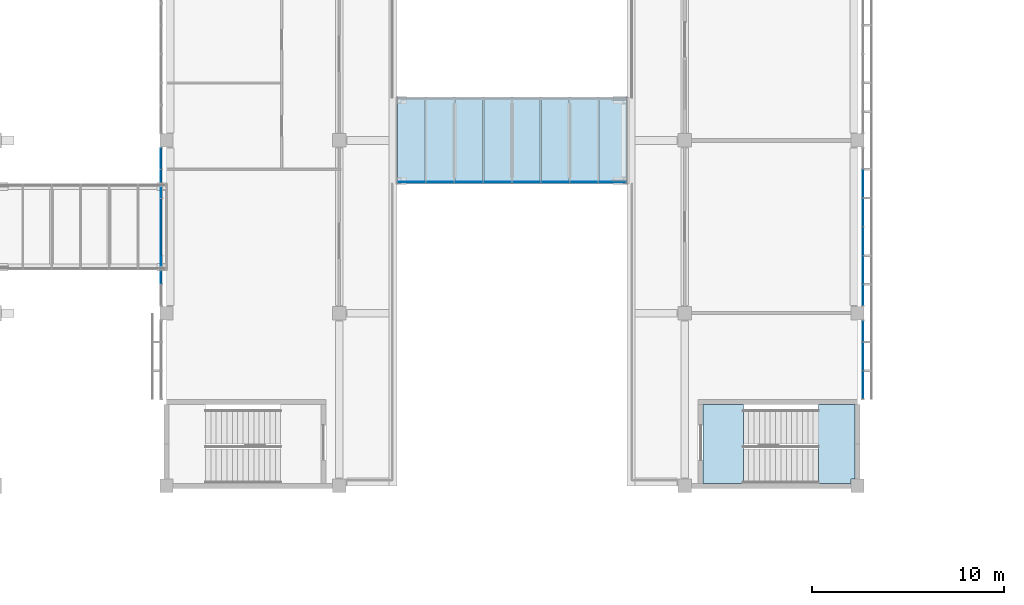
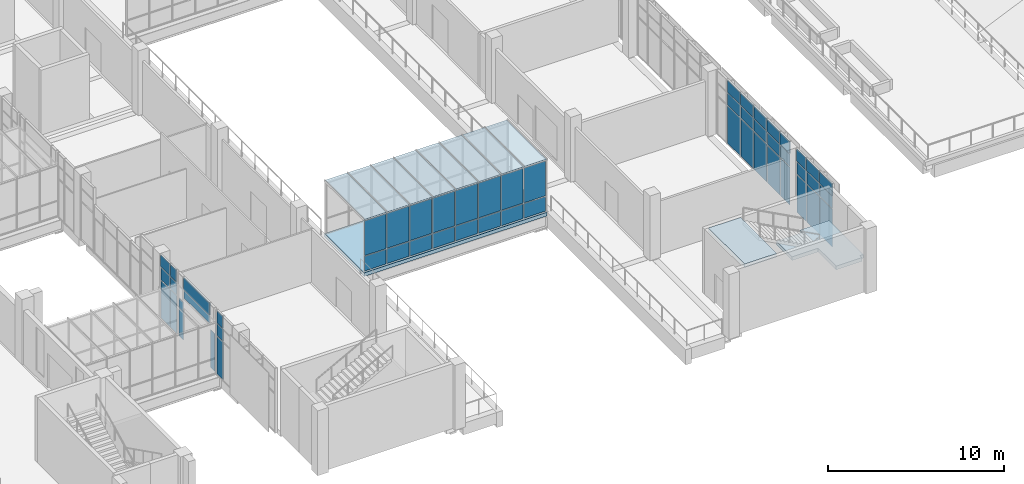
# One storey, part 53 of 106: 61 plates, 3 slabs, 8 elements without a shape of their own.
"""IFC4 building model written with IfcOpenShell, lengths in metres."""

from ifc_helpers import new_model, si_unit, direction, frame, origin, origin_2d, place, context, subcontext, project, spatial, polyline, rectangle, outline, extrude, material, layer, layer_set, type_object, element, aggregate, save


model = new_model("IFC4")

# Units and contexts
model_context = context("Model", 3, precision=1e-05, world=origin(), true_north=direction((0.0, 1.0)))
body_context = subcontext(model_context, "Body", "Model", "MODEL_VIEW")
ifc_project = project(units=[si_unit("LENGTHUNIT", "METRE"), si_unit("AREAUNIT", "SQUARE_METRE"), si_unit("VOLUMEUNIT", "CUBIC_METRE"), si_unit("PLANEANGLEUNIT", "RADIAN"), si_unit("MASSUNIT", "GRAM", prefix="KILO")], contexts=[model_context])

# Site, building, storey
site_placement = place(None, origin())
site = spatial("IfcSite", under=ifc_project, at=site_placement, CompositionType="ELEMENT")
building_placement = place(site_placement, origin())
building = spatial("IfcBuilding", under=site, at=building_placement, Name="Guidao Yard Department Store", CompositionType="ELEMENT")
storey_placement = place(building_placement, frame((0.0, 0.0, 10.5)))
storey = spatial("IfcBuildingStorey", under=building, at=storey_placement, Name="L02", CompositionType="ELEMENT", Elevation=10.5)

# Slab
ifc_material_1 = material(Name="Concrete C35", Category="concrete")
ifc_layer_1 = layer(ifc_material_1, 0.25)
ifc_layer_set_1 = layer_set([ifc_layer_1], Name="Bridge deck slab 250 C35")
slab_type_1 = type_object("IfcSlabType", Name="Bridge deck slab 250 C35", PredefinedType="FLOOR", material=ifc_layer_set_1)
slab_1_placement = place(storey_placement, frame((0.0, 0.0, -0.25)))
element("IfcSlab", 1, at=slab_1_placement, inside=storey, type_object=slab_type_1, Name="Slab BR11", PredefinedType="FLOOR", context=body_context, shape_type="SweptSolid", body=[
    extrude(outline(polyline([(95.985107421875, 60.75), (84.0, 60.75), (84.0, 65.25), (95.985107421875, 65.25), (95.985107421875, 60.75)])), origin(), (0.0, 0.0, 1.0), 0.25),
])

# Curtain wall, plates
ifc_material_2 = material(Name="Aluminium and glass", Category="aluminium")
ifc_layer_2 = layer(ifc_material_2, 0.159912109375)
ifc_layer_set_2 = layer_set([ifc_layer_2], Name="Bridge glazing CW5 1500 module")
curtain_wall_type_1 = type_object("IfcCurtainWallType", Name="Bridge glazing CW5 1500 module", PredefinedType="NOTDEFINED", material=ifc_layer_set_2)
curtain_wall_1_placement = place(storey_placement, origin())
curtain_wall_1 = element("IfcCurtainWall", 2, at=curtain_wall_1_placement, inside=storey, type_object=curtain_wall_type_1, Name="Bridge roof glazing BR11", PredefinedType="NOTDEFINED")
ifc_material_3 = material(Name="Laminated glass", Category="glass")
ifc_layer_3 = layer(ifc_material_3, 0.017578125)
ifc_layer_set_3 = layer_set([ifc_layer_3], Name="Bridge roof glass BG1 laminated 8+8 fritted")
plate_type_1 = type_object("IfcPlateType", Name="Bridge roof glass BG1 laminated 8+8 fritted", PredefinedType="CURTAIN_PANEL", material=ifc_layer_set_3)
plate_1_placement = place(storey_placement, frame((84.75, 63.0, 3.671142578125), z_axis=(0.0, 0.0, 1.0), x_axis=(1.0, 0.0, 0.0)))
plate_1 = element("IfcPlate", 3, at=plate_1_placement, type_object=plate_type_1, Name="Bridge roof glass BR11", PredefinedType="CURTAIN_PANEL", context=body_context, shape_type="SweptSolid", body=[
    extrude(rectangle(XDim=1.43994140625, YDim=4.5, at=origin_2d()), origin(), (0.0, 0.0, 1.0), 0.017578125),
])
plate_2_placement = place(storey_placement, frame((86.25, 63.0, 3.671142578125), z_axis=(0.0, 0.0, 1.0), x_axis=(1.0, 0.0, 0.0)))
plate_2 = element("IfcPlate", 4, at=plate_2_placement, type_object=plate_type_1, Name="Bridge roof glass BR11", PredefinedType="CURTAIN_PANEL", context=body_context, shape_type="SweptSolid", body=[
    extrude(rectangle(XDim=1.43994140625, YDim=4.5, at=origin_2d()), origin(), (0.0, 0.0, 1.0), 0.017578125),
])
plate_3_placement = place(storey_placement, frame((87.75, 63.0, 3.671142578125), z_axis=(0.0, 0.0, 1.0), x_axis=(1.0, 0.0, 0.0)))
plate_3 = element("IfcPlate", 5, at=plate_3_placement, type_object=plate_type_1, Name="Bridge roof glass BR11", PredefinedType="CURTAIN_PANEL", context=body_context, shape_type="SweptSolid", body=[
    extrude(rectangle(XDim=1.43994140625, YDim=4.5, at=origin_2d()), origin(), (0.0, 0.0, 1.0), 0.017578125),
])
plate_4_placement = place(storey_placement, frame((89.25, 63.0, 3.671142578125), z_axis=(0.0, 0.0, 1.0), x_axis=(1.0, 0.0, 0.0)))
plate_4 = element("IfcPlate", 6, at=plate_4_placement, type_object=plate_type_1, Name="Bridge roof glass BR11", PredefinedType="CURTAIN_PANEL", context=body_context, shape_type="SweptSolid", body=[
    extrude(rectangle(XDim=1.43994140625, YDim=4.5, at=origin_2d()), origin(), (0.0, 0.0, 1.0), 0.017578125),
])
plate_5_placement = place(storey_placement, frame((90.75, 63.0, 3.671142578125), z_axis=(0.0, 0.0, 1.0), x_axis=(1.0, 0.0, 0.0)))
plate_5 = element("IfcPlate", 7, at=plate_5_placement, type_object=plate_type_1, Name="Bridge roof glass BR11", PredefinedType="CURTAIN_PANEL", context=body_context, shape_type="SweptSolid", body=[
    extrude(rectangle(XDim=1.43994140625, YDim=4.5, at=origin_2d()), origin(), (0.0, 0.0, 1.0), 0.017578125),
])
plate_6_placement = place(storey_placement, frame((92.25, 63.0, 3.671142578125), z_axis=(0.0, 0.0, 1.0), x_axis=(1.0, 0.0, 0.0)))
plate_6 = element("IfcPlate", 8, at=plate_6_placement, type_object=plate_type_1, Name="Bridge roof glass BR11", PredefinedType="CURTAIN_PANEL", context=body_context, shape_type="SweptSolid", body=[
    extrude(rectangle(XDim=1.43994140625, YDim=4.5, at=origin_2d()), origin(), (0.0, 0.0, 1.0), 0.017578125),
])
plate_7_placement = place(storey_placement, frame((93.75, 63.0, 3.671142578125), z_axis=(0.0, 0.0, 1.0), x_axis=(1.0, 0.0, 0.0)))
plate_7 = element("IfcPlate", 9, at=plate_7_placement, type_object=plate_type_1, Name="Bridge roof glass BR11", PredefinedType="CURTAIN_PANEL", context=body_context, shape_type="SweptSolid", body=[
    extrude(rectangle(XDim=1.43994140625, YDim=4.5, at=origin_2d()), origin(), (0.0, 0.0, 1.0), 0.017578125),
])
plate_8_placement = place(storey_placement, frame((95.242431640625, 63.0, 3.671142578125), z_axis=(0.0, 0.0, 1.0), x_axis=(1.0, 0.0, 0.0)))
plate_8 = element("IfcPlate", 10, at=plate_8_placement, type_object=plate_type_1, Name="Bridge roof glass BR11", PredefinedType="CURTAIN_PANEL", context=body_context, shape_type="SweptSolid", body=[
    extrude(rectangle(XDim=1.425048828125, YDim=4.5, at=origin_2d()), origin(), (0.0, 0.0, 1.0), 0.017578125),
])
aggregate(curtain_wall_1, [plate_1, plate_2, plate_3, plate_4, plate_5, plate_6, plate_7, plate_8])

# Curtain wall, plate
ifc_material_4 = material(Name="Aluminium and glass", Category="aluminium")
ifc_layer_4 = layer(ifc_material_4, 0.159912109375)
ifc_layer_set_4 = layer_set([ifc_layer_4], Name="Shopfront curtain wall CW1 1500 module")
curtain_wall_type_2 = type_object("IfcCurtainWallType", Name="Shopfront curtain wall CW1 1500 module", PredefinedType="NOTDEFINED", material=ifc_layer_set_4)
curtain_wall_2_placement = place(storey_placement, origin())
curtain_wall_2 = element("IfcCurtainWall", 11, at=curtain_wall_2_placement, inside=storey, type_object=curtain_wall_type_2, Name="Arcade shop front", PredefinedType="NOTDEFINED")
ifc_material_5 = material(Name="Aluminium 6063-T5 faced insulated spandrel", Category="aluminium")
ifc_layer_5 = layer(ifc_material_5, 0.06005859375)
ifc_layer_set_5 = layer_set([ifc_layer_5], Name="Spandrel panel SP1 insulated opaque")
plate_type_2 = type_object("IfcPlateType", Name="Spandrel panel SP1 insulated opaque", PredefinedType="CURTAIN_PANEL", material=ifc_layer_set_5)
plate_9_placement = place(storey_placement, frame((71.719970703125, 55.860107421875, 3.6298828125), z_axis=(0.0, 0.0, 1.0), x_axis=(0.0, 1.0, 0.0)))
plate_9 = element("IfcPlate", 12, at=plate_9_placement, type_object=plate_type_2, Name="CW-AS-L02-02 panel 2.3", PredefinedType="CURTAIN_PANEL", context=body_context, shape_type="SweptSolid", body=[
    extrude(rectangle(XDim=0.659912109375, YDim=0.06005859375, at=origin_2d()), origin(), (0.0, 0.0, 1.0), 0.81005859375),
])

curtain_wall_3_placement = place(storey_placement, origin())
curtain_wall_3 = element("IfcCurtainWall", 13, at=curtain_wall_3_placement, inside=storey, type_object=curtain_wall_type_2, Name="Arcade shop front", PredefinedType="NOTDEFINED")
plate_10_placement = place(storey_placement, frame((71.719970703125, 58.5, 3.6298828125), z_axis=(0.0, 0.0, 1.0), x_axis=(0.0, 1.0, 0.0)))
plate_10 = element("IfcPlate", 14, at=plate_10_placement, type_object=plate_type_2, Name="CW-AS-L02-03 panel 2.3", PredefinedType="CURTAIN_PANEL", context=body_context, shape_type="SweptSolid", body=[
    extrude(rectangle(XDim=2.93994140625, YDim=0.06005859375, at=origin_2d()), origin(), (0.0, 0.0, 1.0), 0.81005859375),
])

# Curtain wall, plates
curtain_wall_4_placement = place(storey_placement, origin())
curtain_wall_4 = element("IfcCurtainWall", 15, at=curtain_wall_4_placement, inside=storey, type_object=curtain_wall_type_2, Name="Arcade shop front", PredefinedType="NOTDEFINED")
plate_11_placement = place(storey_placement, frame((71.719970703125, 61.139892578125, 3.6298828125), z_axis=(0.0, 0.0, 1.0), x_axis=(0.0, 1.0, 0.0)))
plate_11 = element("IfcPlate", 16, at=plate_11_placement, type_object=plate_type_2, Name="CW-AS-L02-04 panel 1.3", PredefinedType="CURTAIN_PANEL", context=body_context, shape_type="SweptSolid", body=[
    extrude(rectangle(XDim=0.659912109375, YDim=0.06005859375, at=origin_2d()), origin(), (0.0, 0.0, 1.0), 0.81005859375),
])
plate_12_placement = place(storey_placement, frame((71.719970703125, 62.06005859375, 3.6298828125), z_axis=(0.0, 0.0, 1.0), x_axis=(0.0, 1.0, 0.0)))
plate_12 = element("IfcPlate", 17, at=plate_12_placement, type_object=plate_type_2, Name="CW-AS-L02-04 panel 2.3", PredefinedType="CURTAIN_PANEL", context=body_context, shape_type="SweptSolid", body=[
    extrude(rectangle(XDim=1.06005859375, YDim=0.06005859375, at=origin_2d()), origin(), (0.0, 0.0, 1.0), 0.81005859375),
])

curtain_wall_5_placement = place(storey_placement, origin())
curtain_wall_5 = element("IfcCurtainWall", 18, at=curtain_wall_5_placement, inside=storey, type_object=curtain_wall_type_2, Name="Arcade shop front", PredefinedType="NOTDEFINED")
plate_13_placement = place(storey_placement, frame((108.280029296875, 50.264892578125, 3.6298828125), z_axis=(0.0, 0.0, 1.0), x_axis=(0.0, -1.0, 0.0)))
plate_13 = element("IfcPlate", 19, at=plate_13_placement, type_object=plate_type_2, Name="CW-AS-L02-14 panel 1.3", PredefinedType="CURTAIN_PANEL", context=body_context, shape_type="SweptSolid", body=[
    extrude(rectangle(XDim=1.409912109375, YDim=0.06005859375, at=origin_2d()), origin(), (0.0, 0.0, 1.0), 0.81005859375),
])
plate_14_placement = place(storey_placement, frame((108.280029296875, 51.75, 3.6298828125), z_axis=(0.0, 0.0, 1.0), x_axis=(0.0, -1.0, 0.0)))
plate_14 = element("IfcPlate", 20, at=plate_14_placement, type_object=plate_type_2, Name="CW-AS-L02-14 panel 2.3", PredefinedType="CURTAIN_PANEL", context=body_context, shape_type="SweptSolid", body=[
    extrude(rectangle(XDim=1.43994140625, YDim=0.06005859375, at=origin_2d()), origin(), (0.0, 0.0, 1.0), 0.81005859375),
])
plate_15_placement = place(storey_placement, frame((108.280029296875, 53.06005859375, 3.6298828125), z_axis=(0.0, 0.0, 1.0), x_axis=(0.0, -1.0, 0.0)))
plate_15 = element("IfcPlate", 21, at=plate_15_placement, type_object=plate_type_2, Name="CW-AS-L02-14 panel 3.3", PredefinedType="CURTAIN_PANEL", context=body_context, shape_type="SweptSolid", body=[
    extrude(rectangle(XDim=1.06005859375, YDim=0.06005859375, at=origin_2d()), origin(), (0.0, 0.0, 1.0), 0.81005859375),
])

curtain_wall_6_placement = place(storey_placement, origin())
curtain_wall_6 = element("IfcCurtainWall", 22, at=curtain_wall_6_placement, inside=storey, type_object=curtain_wall_type_2, Name="Arcade shop front", PredefinedType="NOTDEFINED")
plate_16_placement = place(storey_placement, frame((108.280029296875, 54.93994140625, 3.6298828125), z_axis=(0.0, 0.0, 1.0), x_axis=(0.0, -1.0, 0.0)))
plate_16 = element("IfcPlate", 23, at=plate_16_placement, type_object=plate_type_2, Name="CW-AS-L02-15 panel 1.3", PredefinedType="CURTAIN_PANEL", context=body_context, shape_type="SweptSolid", body=[
    extrude(rectangle(XDim=1.06005859375, YDim=0.06005859375, at=origin_2d()), origin(), (0.0, 0.0, 1.0), 0.81005859375),
])
plate_17_placement = place(storey_placement, frame((108.280029296875, 56.25, 3.6298828125), z_axis=(0.0, 0.0, 1.0), x_axis=(0.0, -1.0, 0.0)))
plate_17 = element("IfcPlate", 24, at=plate_17_placement, type_object=plate_type_2, Name="CW-AS-L02-15 panel 2.3", PredefinedType="CURTAIN_PANEL", context=body_context, shape_type="SweptSolid", body=[
    extrude(rectangle(XDim=1.43994140625, YDim=0.06005859375, at=origin_2d()), origin(), (0.0, 0.0, 1.0), 0.81005859375),
])
plate_18_placement = place(storey_placement, frame((108.280029296875, 57.75, 3.6298828125), z_axis=(0.0, 0.0, 1.0), x_axis=(0.0, -1.0, 0.0)))
plate_18 = element("IfcPlate", 25, at=plate_18_placement, type_object=plate_type_2, Name="CW-AS-L02-15 panel 3.3", PredefinedType="CURTAIN_PANEL", context=body_context, shape_type="SweptSolid", body=[
    extrude(rectangle(XDim=1.43994140625, YDim=0.06005859375, at=origin_2d()), origin(), (0.0, 0.0, 1.0), 0.81005859375),
])
plate_19_placement = place(storey_placement, frame((108.280029296875, 59.25, 3.6298828125), z_axis=(0.0, 0.0, 1.0), x_axis=(0.0, -1.0, 0.0)))
plate_19 = element("IfcPlate", 26, at=plate_19_placement, type_object=plate_type_2, Name="CW-AS-L02-15 panel 4.3", PredefinedType="CURTAIN_PANEL", context=body_context, shape_type="SweptSolid", body=[
    extrude(rectangle(XDim=1.43994140625, YDim=0.06005859375, at=origin_2d()), origin(), (0.0, 0.0, 1.0), 0.81005859375),
])
plate_20_placement = place(storey_placement, frame((108.280029296875, 60.75, 3.6298828125), z_axis=(0.0, 0.0, 1.0), x_axis=(0.0, -1.0, 0.0)))
plate_20 = element("IfcPlate", 27, at=plate_20_placement, type_object=plate_type_2, Name="CW-AS-L02-15 panel 5.3", PredefinedType="CURTAIN_PANEL", context=body_context, shape_type="SweptSolid", body=[
    extrude(rectangle(XDim=1.43994140625, YDim=0.06005859375, at=origin_2d()), origin(), (0.0, 0.0, 1.0), 0.81005859375),
])

# Stair, slabs
ifc_material_6 = material(Name="Concrete C35", Category="concrete")
stair_type = type_object("IfcStairType", Name="Stair half-turn two-flight 1800 wide 4.5 m rise", PredefinedType="HALF_TURN_STAIR", material=ifc_material_6)
stair_placement = place(storey_placement, origin())
stair = element("IfcStair", 28, at=stair_placement, inside=storey, type_object=stair_type, Name="Stair G3 L02 to L03", PredefinedType="HALF_TURN_STAIR")
ifc_material_7 = material(Name="Concrete C35", Category="concrete")
ifc_layer_6 = layer(ifc_material_7, 0.25)
ifc_layer_set_6 = layer_set([ifc_layer_6], Name="Stair landing RC 250 C35")
slab_type_2 = type_object("IfcSlabType", Name="Stair landing RC 250 C35", PredefinedType="LANDING", material=ifc_layer_set_6)
slab_2_placement = place(storey_placement, frame((0.0, 0.0, 2.0)))
slab_2 = element("IfcSlab", 29, at=slab_2_placement, type_object=slab_type_2, Name="SG3-L02 landing 1", PredefinedType="LANDING", context=body_context, shape_type="SweptSolid", body=[
    extrude(outline(polyline([(105.9599609375, 47.175048828125), (104.251953125, 47.175048828125), (104.251953125, 48.97509765625), (105.969970703125, 48.97509765625), (105.969970703125, 49.25), (107.875, 49.25), (107.875, 45.35009765625), (107.64990234375, 45.35009765625), (107.64990234375, 45.125), (105.969970703125, 45.125), (105.9599609375, 45.125), (105.9599609375, 47.175048828125)])), origin(), (0.0, 0.0, 1.0), 0.25),
])
slab_3_placement = place(storey_placement, frame((0.0, 0.0, 4.25)))
slab_3 = element("IfcSlab", 30, at=slab_3_placement, type_object=slab_type_2, Name="SG3-L02 landing 2", PredefinedType="LANDING", context=body_context, shape_type="SweptSolid", body=[
    extrude(outline(polyline([(99.949951171875, 45.125), (99.949951171875, 47.175048828125), (99.949951171875, 49.25), (102.06005859375, 49.25), (102.06005859375, 47.175048828125), (102.050048828125, 47.175048828125), (102.050048828125, 45.125), (99.949951171875, 45.125)])), origin(), (0.0, 0.0, 1.0), 0.25),
])
aggregate(stair, [slab_2, slab_3])

# Plate
ifc_material_8 = material(Name="Laminated heat-soaked tempered glass", Category="glass")
ifc_layer_7 = layer(ifc_material_8, 0.017578125)
ifc_layer_set_7 = layer_set([ifc_layer_7], Name="Vision glass VG1 laminated heat-soaked tempered 8+8")
plate_type_3 = type_object("IfcPlateType", Name="Vision glass VG1 laminated heat-soaked tempered 8+8", PredefinedType="CURTAIN_PANEL", material=ifc_layer_set_7)
plate_21_placement = place(storey_placement, frame((71.719970703125, 55.860107421875, 0.06005859375), z_axis=(0.0, 0.0, 1.0), x_axis=(0.0, 1.0, 0.0)))
plate_21 = element("IfcPlate", 31, at=plate_21_placement, type_object=plate_type_3, Name="CW-AS-L02-02 panel 2.1", PredefinedType="CURTAIN_PANEL", context=body_context, shape_type="SweptSolid", body=[
    extrude(rectangle(XDim=0.659912109375, YDim=0.017578125, at=origin_2d()), origin(), (0.0, 0.0, 1.0), 2.610107421875),
])

plate_22_placement = place(storey_placement, frame((71.719970703125, 55.860107421875, 2.72998046875), z_axis=(0.0, 0.0, 1.0), x_axis=(0.0, 1.0, 0.0)))
plate_22 = element("IfcPlate", 32, at=plate_22_placement, type_object=plate_type_3, Name="CW-AS-L02-02 panel 2.2", PredefinedType="CURTAIN_PANEL", context=body_context, shape_type="SweptSolid", body=[
    extrude(rectangle(XDim=0.659912109375, YDim=0.017578125, at=origin_2d()), origin(), (0.0, 0.0, 1.0), 0.840087890625),
])

aggregate(curtain_wall_2, [plate_21, plate_22, plate_9])

plate_23_placement = place(storey_placement, frame((71.719970703125, 56.719970703125, 0.06005859375), z_axis=(0.0, 0.0, 1.0), x_axis=(0.0, 1.0, 0.0)))
plate_23 = element("IfcPlate", 33, at=plate_23_placement, type_object=plate_type_3, Name="CW-AS-L02-03 panel 1.1", PredefinedType="CURTAIN_PANEL", context=body_context, shape_type="SweptSolid", body=[
    extrude(rectangle(XDim=0.5, YDim=0.017578125, at=origin_2d()), origin(), (0.0, 0.0, 1.0), 2.610107421875),
])

plate_24_placement = place(storey_placement, frame((71.719970703125, 58.5, 3.030029296875), z_axis=(0.0, 0.0, 1.0), x_axis=(0.0, 1.0, 0.0)))
plate_24 = element("IfcPlate", 34, at=plate_24_placement, type_object=plate_type_3, Name="CW-AS-L02-03 panel 2.2", PredefinedType="CURTAIN_PANEL", context=body_context, shape_type="SweptSolid", body=[
    extrude(rectangle(XDim=2.93994140625, YDim=0.017578125, at=origin_2d()), origin(), (0.0, 0.0, 1.0), 0.5400390625),
])

plate_25_placement = place(storey_placement, frame((71.719970703125, 60.280029296875, 0.06005859375), z_axis=(0.0, 0.0, 1.0), x_axis=(0.0, 1.0, 0.0)))
plate_25 = element("IfcPlate", 35, at=plate_25_placement, type_object=plate_type_3, Name="CW-AS-L02-03 panel 3.1", PredefinedType="CURTAIN_PANEL", context=body_context, shape_type="SweptSolid", body=[
    extrude(rectangle(XDim=0.5, YDim=0.017578125, at=origin_2d()), origin(), (0.0, 0.0, 1.0), 2.610107421875),
])

aggregate(curtain_wall_3, [plate_23, plate_24, plate_10, plate_25])

plate_26_placement = place(storey_placement, frame((71.719970703125, 61.139892578125, 0.06005859375), z_axis=(0.0, 0.0, 1.0), x_axis=(0.0, 1.0, 0.0)))
plate_26 = element("IfcPlate", 36, at=plate_26_placement, type_object=plate_type_3, Name="CW-AS-L02-04 panel 1.1", PredefinedType="CURTAIN_PANEL", context=body_context, shape_type="SweptSolid", body=[
    extrude(rectangle(XDim=0.659912109375, YDim=0.017578125, at=origin_2d()), origin(), (0.0, 0.0, 1.0), 2.610107421875),
])

plate_27_placement = place(storey_placement, frame((71.719970703125, 61.139892578125, 2.72998046875), z_axis=(0.0, 0.0, 1.0), x_axis=(0.0, 1.0, 0.0)))
plate_27 = element("IfcPlate", 37, at=plate_27_placement, type_object=plate_type_3, Name="CW-AS-L02-04 panel 1.2", PredefinedType="CURTAIN_PANEL", context=body_context, shape_type="SweptSolid", body=[
    extrude(rectangle(XDim=0.659912109375, YDim=0.017578125, at=origin_2d()), origin(), (0.0, 0.0, 1.0), 0.840087890625),
])

plate_28_placement = place(storey_placement, frame((71.719970703125, 62.06005859375, 0.06005859375), z_axis=(0.0, 0.0, 1.0), x_axis=(0.0, 1.0, 0.0)))
plate_28 = element("IfcPlate", 38, at=plate_28_placement, type_object=plate_type_3, Name="CW-AS-L02-04 panel 2.1", PredefinedType="CURTAIN_PANEL", context=body_context, shape_type="SweptSolid", body=[
    extrude(rectangle(XDim=1.06005859375, YDim=0.017578125, at=origin_2d()), origin(), (0.0, 0.0, 1.0), 2.610107421875),
])

plate_29_placement = place(storey_placement, frame((71.719970703125, 62.06005859375, 2.72998046875), z_axis=(0.0, 0.0, 1.0), x_axis=(0.0, 1.0, 0.0)))
plate_29 = element("IfcPlate", 39, at=plate_29_placement, type_object=plate_type_3, Name="CW-AS-L02-04 panel 2.2", PredefinedType="CURTAIN_PANEL", context=body_context, shape_type="SweptSolid", body=[
    extrude(rectangle(XDim=1.06005859375, YDim=0.017578125, at=origin_2d()), origin(), (0.0, 0.0, 1.0), 0.840087890625),
])

aggregate(curtain_wall_4, [plate_26, plate_27, plate_11, plate_28, plate_29, plate_12])

plate_30_placement = place(storey_placement, frame((108.280029296875, 50.264892578125, 0.06005859375), z_axis=(0.0, 0.0, 1.0), x_axis=(0.0, -1.0, 0.0)))
plate_30 = element("IfcPlate", 40, at=plate_30_placement, type_object=plate_type_3, Name="CW-AS-L02-14 panel 1.1", PredefinedType="CURTAIN_PANEL", context=body_context, shape_type="SweptSolid", body=[
    extrude(rectangle(XDim=1.409912109375, YDim=0.017578125, at=origin_2d()), origin(), (0.0, 0.0, 1.0), 2.610107421875),
])

plate_31_placement = place(storey_placement, frame((108.280029296875, 50.264892578125, 2.72998046875), z_axis=(0.0, 0.0, 1.0), x_axis=(0.0, -1.0, 0.0)))
plate_31 = element("IfcPlate", 41, at=plate_31_placement, type_object=plate_type_3, Name="CW-AS-L02-14 panel 1.2", PredefinedType="CURTAIN_PANEL", context=body_context, shape_type="SweptSolid", body=[
    extrude(rectangle(XDim=1.409912109375, YDim=0.017578125, at=origin_2d()), origin(), (0.0, 0.0, 1.0), 0.840087890625),
])

plate_32_placement = place(storey_placement, frame((108.280029296875, 51.75, 0.06005859375), z_axis=(0.0, 0.0, 1.0), x_axis=(0.0, -1.0, 0.0)))
plate_32 = element("IfcPlate", 42, at=plate_32_placement, type_object=plate_type_3, Name="CW-AS-L02-14 panel 2.1", PredefinedType="CURTAIN_PANEL", context=body_context, shape_type="SweptSolid", body=[
    extrude(rectangle(XDim=1.43994140625, YDim=0.017578125, at=origin_2d()), origin(), (0.0, 0.0, 1.0), 2.610107421875),
])

plate_33_placement = place(storey_placement, frame((108.280029296875, 51.75, 2.72998046875), z_axis=(0.0, 0.0, 1.0), x_axis=(0.0, -1.0, 0.0)))
plate_33 = element("IfcPlate", 43, at=plate_33_placement, type_object=plate_type_3, Name="CW-AS-L02-14 panel 2.2", PredefinedType="CURTAIN_PANEL", context=body_context, shape_type="SweptSolid", body=[
    extrude(rectangle(XDim=1.43994140625, YDim=0.017578125, at=origin_2d()), origin(), (0.0, 0.0, 1.0), 0.840087890625),
])

plate_34_placement = place(storey_placement, frame((108.280029296875, 53.06005859375, 0.06005859375), z_axis=(0.0, 0.0, 1.0), x_axis=(0.0, -1.0, 0.0)))
plate_34 = element("IfcPlate", 44, at=plate_34_placement, type_object=plate_type_3, Name="CW-AS-L02-14 panel 3.1", PredefinedType="CURTAIN_PANEL", context=body_context, shape_type="SweptSolid", body=[
    extrude(rectangle(XDim=1.06005859375, YDim=0.017578125, at=origin_2d()), origin(), (0.0, 0.0, 1.0), 2.610107421875),
])

plate_35_placement = place(storey_placement, frame((108.280029296875, 53.06005859375, 2.72998046875), z_axis=(0.0, 0.0, 1.0), x_axis=(0.0, -1.0, 0.0)))
plate_35 = element("IfcPlate", 45, at=plate_35_placement, type_object=plate_type_3, Name="CW-AS-L02-14 panel 3.2", PredefinedType="CURTAIN_PANEL", context=body_context, shape_type="SweptSolid", body=[
    extrude(rectangle(XDim=1.06005859375, YDim=0.017578125, at=origin_2d()), origin(), (0.0, 0.0, 1.0), 0.840087890625),
])

aggregate(curtain_wall_5, [plate_30, plate_31, plate_13, plate_32, plate_33, plate_14, plate_34, plate_35, plate_15])

plate_36_placement = place(storey_placement, frame((108.280029296875, 54.93994140625, 0.06005859375), z_axis=(0.0, 0.0, 1.0), x_axis=(0.0, -1.0, 0.0)))
plate_36 = element("IfcPlate", 46, at=plate_36_placement, type_object=plate_type_3, Name="CW-AS-L02-15 panel 1.1", PredefinedType="CURTAIN_PANEL", context=body_context, shape_type="SweptSolid", body=[
    extrude(rectangle(XDim=1.06005859375, YDim=0.017578125, at=origin_2d()), origin(), (0.0, 0.0, 1.0), 2.610107421875),
])

plate_37_placement = place(storey_placement, frame((108.280029296875, 54.93994140625, 2.72998046875), z_axis=(0.0, 0.0, 1.0), x_axis=(0.0, -1.0, 0.0)))
plate_37 = element("IfcPlate", 47, at=plate_37_placement, type_object=plate_type_3, Name="CW-AS-L02-15 panel 1.2", PredefinedType="CURTAIN_PANEL", context=body_context, shape_type="SweptSolid", body=[
    extrude(rectangle(XDim=1.06005859375, YDim=0.017578125, at=origin_2d()), origin(), (0.0, 0.0, 1.0), 0.840087890625),
])

plate_38_placement = place(storey_placement, frame((108.280029296875, 56.25, 0.06005859375), z_axis=(0.0, 0.0, 1.0), x_axis=(0.0, -1.0, 0.0)))
plate_38 = element("IfcPlate", 48, at=plate_38_placement, type_object=plate_type_3, Name="CW-AS-L02-15 panel 2.1", PredefinedType="CURTAIN_PANEL", context=body_context, shape_type="SweptSolid", body=[
    extrude(rectangle(XDim=1.43994140625, YDim=0.017578125, at=origin_2d()), origin(), (0.0, 0.0, 1.0), 2.610107421875),
])

plate_39_placement = place(storey_placement, frame((108.280029296875, 56.25, 2.72998046875), z_axis=(0.0, 0.0, 1.0), x_axis=(0.0, -1.0, 0.0)))
plate_39 = element("IfcPlate", 49, at=plate_39_placement, type_object=plate_type_3, Name="CW-AS-L02-15 panel 2.2", PredefinedType="CURTAIN_PANEL", context=body_context, shape_type="SweptSolid", body=[
    extrude(rectangle(XDim=1.43994140625, YDim=0.017578125, at=origin_2d()), origin(), (0.0, 0.0, 1.0), 0.840087890625),
])

plate_40_placement = place(storey_placement, frame((108.280029296875, 57.75, 0.06005859375), z_axis=(0.0, 0.0, 1.0), x_axis=(0.0, -1.0, 0.0)))
plate_40 = element("IfcPlate", 50, at=plate_40_placement, type_object=plate_type_3, Name="CW-AS-L02-15 panel 3.1", PredefinedType="CURTAIN_PANEL", context=body_context, shape_type="SweptSolid", body=[
    extrude(rectangle(XDim=1.43994140625, YDim=0.017578125, at=origin_2d()), origin(), (0.0, 0.0, 1.0), 2.610107421875),
])

plate_41_placement = place(storey_placement, frame((108.280029296875, 57.75, 2.72998046875), z_axis=(0.0, 0.0, 1.0), x_axis=(0.0, -1.0, 0.0)))
plate_41 = element("IfcPlate", 51, at=plate_41_placement, type_object=plate_type_3, Name="CW-AS-L02-15 panel 3.2", PredefinedType="CURTAIN_PANEL", context=body_context, shape_type="SweptSolid", body=[
    extrude(rectangle(XDim=1.43994140625, YDim=0.017578125, at=origin_2d()), origin(), (0.0, 0.0, 1.0), 0.840087890625),
])

plate_42_placement = place(storey_placement, frame((108.280029296875, 59.25, 0.06005859375), z_axis=(0.0, 0.0, 1.0), x_axis=(0.0, -1.0, 0.0)))
plate_42 = element("IfcPlate", 52, at=plate_42_placement, type_object=plate_type_3, Name="CW-AS-L02-15 panel 4.1", PredefinedType="CURTAIN_PANEL", context=body_context, shape_type="SweptSolid", body=[
    extrude(rectangle(XDim=1.43994140625, YDim=0.017578125, at=origin_2d()), origin(), (0.0, 0.0, 1.0), 2.610107421875),
])

plate_43_placement = place(storey_placement, frame((108.280029296875, 59.25, 2.72998046875), z_axis=(0.0, 0.0, 1.0), x_axis=(0.0, -1.0, 0.0)))
plate_43 = element("IfcPlate", 53, at=plate_43_placement, type_object=plate_type_3, Name="CW-AS-L02-15 panel 4.2", PredefinedType="CURTAIN_PANEL", context=body_context, shape_type="SweptSolid", body=[
    extrude(rectangle(XDim=1.43994140625, YDim=0.017578125, at=origin_2d()), origin(), (0.0, 0.0, 1.0), 0.840087890625),
])

plate_44_placement = place(storey_placement, frame((108.280029296875, 60.75, 0.06005859375), z_axis=(0.0, 0.0, 1.0), x_axis=(0.0, -1.0, 0.0)))
plate_44 = element("IfcPlate", 54, at=plate_44_placement, type_object=plate_type_3, Name="CW-AS-L02-15 panel 5.1", PredefinedType="CURTAIN_PANEL", context=body_context, shape_type="SweptSolid", body=[
    extrude(rectangle(XDim=1.43994140625, YDim=0.017578125, at=origin_2d()), origin(), (0.0, 0.0, 1.0), 2.610107421875),
])

plate_45_placement = place(storey_placement, frame((108.280029296875, 60.75, 2.72998046875), z_axis=(0.0, 0.0, 1.0), x_axis=(0.0, -1.0, 0.0)))
plate_45 = element("IfcPlate", 55, at=plate_45_placement, type_object=plate_type_3, Name="CW-AS-L02-15 panel 5.2", PredefinedType="CURTAIN_PANEL", context=body_context, shape_type="SweptSolid", body=[
    extrude(rectangle(XDim=1.43994140625, YDim=0.017578125, at=origin_2d()), origin(), (0.0, 0.0, 1.0), 0.840087890625),
])

aggregate(curtain_wall_6, [plate_36, plate_37, plate_16, plate_38, plate_39, plate_17, plate_40, plate_41, plate_18, plate_42, plate_43, plate_19, plate_44, plate_45, plate_20])

# Curtain wall, plates
curtain_wall_7_placement = place(storey_placement, origin())
curtain_wall_7 = element("IfcCurtainWall", 56, at=curtain_wall_7_placement, inside=storey, type_object=curtain_wall_type_1, Name="Bridge glazing BR11 S", PredefinedType="NOTDEFINED")
plate_46_placement = place(storey_placement, frame((84.764892578125, 60.830078125, 0.06005859375), z_axis=(0.0, 0.0, 1.0), x_axis=(-1.0, 0.0, 0.0)))
plate_46 = element("IfcPlate", 57, at=plate_46_placement, type_object=plate_type_3, Name="CW-S-L02-08 panel 1.1", PredefinedType="CURTAIN_PANEL", context=body_context, shape_type="SweptSolid", body=[
    extrude(rectangle(XDim=1.409912109375, YDim=0.017578125, at=origin_2d()), origin(), (0.0, 0.0, 1.0), 1.010009765625),
])
plate_47_placement = place(storey_placement, frame((84.764892578125, 60.830078125, 1.1298828125), z_axis=(0.0, 0.0, 1.0), x_axis=(-1.0, 0.0, 0.0)))
plate_47 = element("IfcPlate", 58, at=plate_47_placement, type_object=plate_type_3, Name="CW-S-L02-08 panel 1.2", PredefinedType="CURTAIN_PANEL", context=body_context, shape_type="SweptSolid", body=[
    extrude(rectangle(XDim=1.409912109375, YDim=0.017578125, at=origin_2d()), origin(), (0.0, 0.0, 1.0), 2.409912109375),
])
plate_48_placement = place(storey_placement, frame((86.25, 60.830078125, 0.06005859375), z_axis=(0.0, 0.0, 1.0), x_axis=(-1.0, 0.0, 0.0)))
plate_48 = element("IfcPlate", 59, at=plate_48_placement, type_object=plate_type_3, Name="CW-S-L02-08 panel 2.1", PredefinedType="CURTAIN_PANEL", context=body_context, shape_type="SweptSolid", body=[
    extrude(rectangle(XDim=1.43994140625, YDim=0.017578125, at=origin_2d()), origin(), (0.0, 0.0, 1.0), 1.010009765625),
])
plate_49_placement = place(storey_placement, frame((86.25, 60.830078125, 1.1298828125), z_axis=(0.0, 0.0, 1.0), x_axis=(-1.0, 0.0, 0.0)))
plate_49 = element("IfcPlate", 60, at=plate_49_placement, type_object=plate_type_3, Name="CW-S-L02-08 panel 2.2", PredefinedType="CURTAIN_PANEL", context=body_context, shape_type="SweptSolid", body=[
    extrude(rectangle(XDim=1.43994140625, YDim=0.017578125, at=origin_2d()), origin(), (0.0, 0.0, 1.0), 2.409912109375),
])
plate_50_placement = place(storey_placement, frame((87.75, 60.830078125, 0.06005859375), z_axis=(0.0, 0.0, 1.0), x_axis=(-1.0, 0.0, 0.0)))
plate_50 = element("IfcPlate", 61, at=plate_50_placement, type_object=plate_type_3, Name="CW-S-L02-08 panel 3.1", PredefinedType="CURTAIN_PANEL", context=body_context, shape_type="SweptSolid", body=[
    extrude(rectangle(XDim=1.43994140625, YDim=0.017578125, at=origin_2d()), origin(), (0.0, 0.0, 1.0), 1.010009765625),
])
plate_51_placement = place(storey_placement, frame((87.75, 60.830078125, 1.1298828125), z_axis=(0.0, 0.0, 1.0), x_axis=(-1.0, 0.0, 0.0)))
plate_51 = element("IfcPlate", 62, at=plate_51_placement, type_object=plate_type_3, Name="CW-S-L02-08 panel 3.2", PredefinedType="CURTAIN_PANEL", context=body_context, shape_type="SweptSolid", body=[
    extrude(rectangle(XDim=1.43994140625, YDim=0.017578125, at=origin_2d()), origin(), (0.0, 0.0, 1.0), 2.409912109375),
])
plate_52_placement = place(storey_placement, frame((89.25, 60.830078125, 0.06005859375), z_axis=(0.0, 0.0, 1.0), x_axis=(-1.0, 0.0, 0.0)))
plate_52 = element("IfcPlate", 63, at=plate_52_placement, type_object=plate_type_3, Name="CW-S-L02-08 panel 4.1", PredefinedType="CURTAIN_PANEL", context=body_context, shape_type="SweptSolid", body=[
    extrude(rectangle(XDim=1.43994140625, YDim=0.017578125, at=origin_2d()), origin(), (0.0, 0.0, 1.0), 1.010009765625),
])
plate_53_placement = place(storey_placement, frame((89.25, 60.830078125, 1.1298828125), z_axis=(0.0, 0.0, 1.0), x_axis=(-1.0, 0.0, 0.0)))
plate_53 = element("IfcPlate", 64, at=plate_53_placement, type_object=plate_type_3, Name="CW-S-L02-08 panel 4.2", PredefinedType="CURTAIN_PANEL", context=body_context, shape_type="SweptSolid", body=[
    extrude(rectangle(XDim=1.43994140625, YDim=0.017578125, at=origin_2d()), origin(), (0.0, 0.0, 1.0), 2.409912109375),
])
plate_54_placement = place(storey_placement, frame((90.75, 60.830078125, 0.06005859375), z_axis=(0.0, 0.0, 1.0), x_axis=(-1.0, 0.0, 0.0)))
plate_54 = element("IfcPlate", 65, at=plate_54_placement, type_object=plate_type_3, Name="CW-S-L02-08 panel 5.1", PredefinedType="CURTAIN_PANEL", context=body_context, shape_type="SweptSolid", body=[
    extrude(rectangle(XDim=1.43994140625, YDim=0.017578125, at=origin_2d()), origin(), (0.0, 0.0, 1.0), 1.010009765625),
])
plate_55_placement = place(storey_placement, frame((90.75, 60.830078125, 1.1298828125), z_axis=(0.0, 0.0, 1.0), x_axis=(-1.0, 0.0, 0.0)))
plate_55 = element("IfcPlate", 66, at=plate_55_placement, type_object=plate_type_3, Name="CW-S-L02-08 panel 5.2", PredefinedType="CURTAIN_PANEL", context=body_context, shape_type="SweptSolid", body=[
    extrude(rectangle(XDim=1.43994140625, YDim=0.017578125, at=origin_2d()), origin(), (0.0, 0.0, 1.0), 2.409912109375),
])
plate_56_placement = place(storey_placement, frame((92.25, 60.830078125, 0.06005859375), z_axis=(0.0, 0.0, 1.0), x_axis=(-1.0, 0.0, 0.0)))
plate_56 = element("IfcPlate", 67, at=plate_56_placement, type_object=plate_type_3, Name="CW-S-L02-08 panel 6.1", PredefinedType="CURTAIN_PANEL", context=body_context, shape_type="SweptSolid", body=[
    extrude(rectangle(XDim=1.43994140625, YDim=0.017578125, at=origin_2d()), origin(), (0.0, 0.0, 1.0), 1.010009765625),
])
plate_57_placement = place(storey_placement, frame((92.25, 60.830078125, 1.1298828125), z_axis=(0.0, 0.0, 1.0), x_axis=(-1.0, 0.0, 0.0)))
plate_57 = element("IfcPlate", 68, at=plate_57_placement, type_object=plate_type_3, Name="CW-S-L02-08 panel 6.2", PredefinedType="CURTAIN_PANEL", context=body_context, shape_type="SweptSolid", body=[
    extrude(rectangle(XDim=1.43994140625, YDim=0.017578125, at=origin_2d()), origin(), (0.0, 0.0, 1.0), 2.409912109375),
])
plate_58_placement = place(storey_placement, frame((93.75, 60.830078125, 0.06005859375), z_axis=(0.0, 0.0, 1.0), x_axis=(-1.0, 0.0, 0.0)))
plate_58 = element("IfcPlate", 69, at=plate_58_placement, type_object=plate_type_3, Name="CW-S-L02-08 panel 7.1", PredefinedType="CURTAIN_PANEL", context=body_context, shape_type="SweptSolid", body=[
    extrude(rectangle(XDim=1.43994140625, YDim=0.017578125, at=origin_2d()), origin(), (0.0, 0.0, 1.0), 1.010009765625),
])
plate_59_placement = place(storey_placement, frame((93.75, 60.830078125, 1.1298828125), z_axis=(0.0, 0.0, 1.0), x_axis=(-1.0, 0.0, 0.0)))
plate_59 = element("IfcPlate", 70, at=plate_59_placement, type_object=plate_type_3, Name="CW-S-L02-08 panel 7.2", PredefinedType="CURTAIN_PANEL", context=body_context, shape_type="SweptSolid", body=[
    extrude(rectangle(XDim=1.43994140625, YDim=0.017578125, at=origin_2d()), origin(), (0.0, 0.0, 1.0), 2.409912109375),
])
plate_60_placement = place(storey_placement, frame((95.2275390625, 60.830078125, 0.06005859375), z_axis=(0.0, 0.0, 1.0), x_axis=(-1.0, 0.0, 0.0)))
plate_60 = element("IfcPlate", 71, at=plate_60_placement, type_object=plate_type_3, Name="CW-S-L02-08 panel 8.1", PredefinedType="CURTAIN_PANEL", context=body_context, shape_type="SweptSolid", body=[
    extrude(rectangle(XDim=1.39501953125, YDim=0.017578125, at=origin_2d()), origin(), (0.0, 0.0, 1.0), 1.010009765625),
])
plate_61_placement = place(storey_placement, frame((95.2275390625, 60.830078125, 1.1298828125), z_axis=(0.0, 0.0, 1.0), x_axis=(-1.0, 0.0, 0.0)))
plate_61 = element("IfcPlate", 72, at=plate_61_placement, type_object=plate_type_3, Name="CW-S-L02-08 panel 8.2", PredefinedType="CURTAIN_PANEL", context=body_context, shape_type="SweptSolid", body=[
    extrude(rectangle(XDim=1.39501953125, YDim=0.017578125, at=origin_2d()), origin(), (0.0, 0.0, 1.0), 2.409912109375),
])
aggregate(curtain_wall_7, [plate_46, plate_47, plate_48, plate_49, plate_50, plate_51, plate_52, plate_53, plate_54, plate_55, plate_56, plate_57, plate_58, plate_59, plate_60, plate_61])

save(model, "model.ifc")
